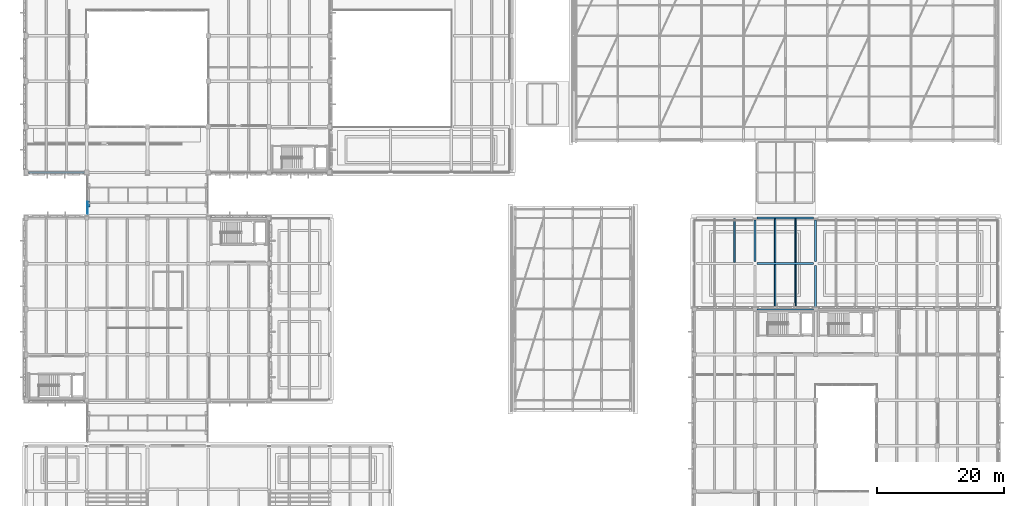
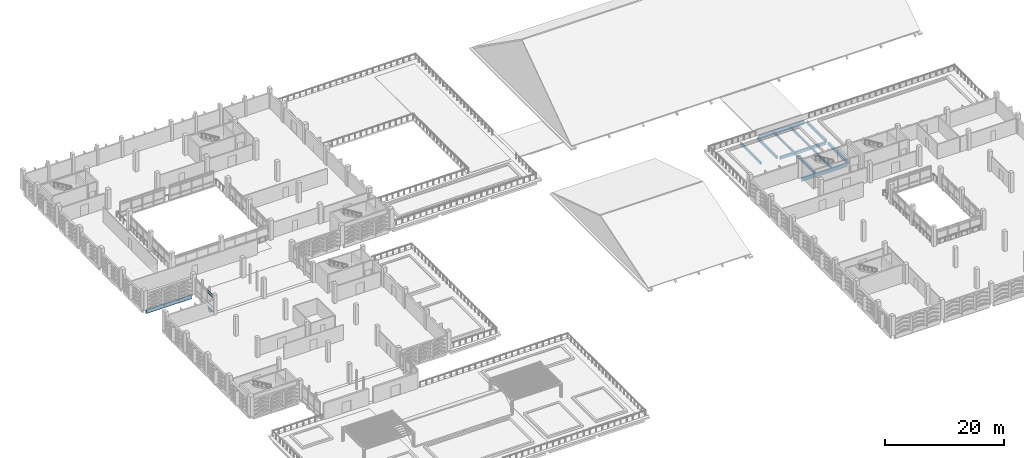
# One storey, part 34 of 134: 13 beams, 4 members, 1 element without a shape of its own.
"""IFC4 building model written with IfcOpenShell, lengths in metres."""

from ifc_helpers import new_model, si_unit, direction, frame, origin, origin_2d, place, context, subcontext, project, spatial, rectangle, hollow_rectangle, extrude, material, layer, layer_set, material_profile, profile_set, type_object, element, aggregate, save


model = new_model("IFC4")

# Units and contexts
model_context = context("Model", 3, precision=1e-05, world=origin(), true_north=direction((0.0, 1.0)))
body_context = subcontext(model_context, "Body", "Model", "MODEL_VIEW")
ifc_project = project(units=[si_unit("LENGTHUNIT", "METRE"), si_unit("AREAUNIT", "SQUARE_METRE"), si_unit("VOLUMEUNIT", "CUBIC_METRE"), si_unit("PLANEANGLEUNIT", "RADIAN"), si_unit("MASSUNIT", "GRAM", prefix="KILO")], contexts=[model_context])

# Site, building, storey
site_placement = place(None, origin())
site = spatial("IfcSite", under=ifc_project, at=site_placement, CompositionType="ELEMENT")
building_placement = place(site_placement, origin())
building = spatial("IfcBuilding", under=site, at=building_placement, Name="Asteropetra Specialist Clinic", CompositionType="ELEMENT")
storey_placement = place(building_placement, frame((0.0, 0.0, 8.5)))
storey = spatial("IfcBuildingStorey", under=building, at=storey_placement, Name="L02", CompositionType="ELEMENT", Elevation=8.5)

# Beams
ifc_material_1 = material(Name="Concrete C35/45", Category="concrete")
ifc_material_profile_1 = material_profile(ifc_material_1, rectangle(XDim=0.320068359375, YDim=0.52001953125, at=origin_2d()), Name="RCB 320x520")
ifc_profile_set_1 = profile_set([ifc_material_profile_1], Name="Concrete C35/45")
beam_type_1 = type_object("IfcBeamType", Name="BM-RC320x520", PredefinedType="BEAM", material=ifc_profile_set_1)
for number, where, z_axis, x_axis, name in (
    (1, (124.800048828125, 48.35009765625, -0.570068359375), (0.0, 1.0, 0.0), (-1.0, 0.0, 0.0), "Beam BBM11-1023"),
    (2, (115.199951171875, 55.550048828125, -0.570068359375), (0.0, 1.0, 0.0), (-1.0, 0.0, 0.0), "Beam BBM11-1038"),
    (3, (124.800048828125, 55.550048828125, -0.570068359375), (0.0, 1.0, 0.0), (-1.0, 0.0, 0.0), "Beam BBM11-1039"),
):
    element("IfcBeam", number, at=place(storey_placement, frame(where, z_axis=z_axis, x_axis=x_axis)), inside=storey, type_object=beam_type_1, Name=name, PredefinedType="BEAM", context=body_context, shape_type="SweptSolid", body=[
        extrude(rectangle(XDim=0.320068359375, YDim=0.52001953125, at=origin_2d()), origin(), (0.0, 0.0, 1.0), 6.5),
    ])
ifc_material_2 = material(Name="Concrete C35/45", Category="concrete")
ifc_material_profile_2 = material_profile(ifc_material_2, rectangle(XDim=0.35009765625, YDim=0.550048828125, at=origin_2d()), Name="RCB 350x550")
ifc_profile_set_2 = profile_set([ifc_material_profile_2], Name="Concrete C35/45")
beam_type_2 = type_object("IfcBeamType", Name="BM-RC350x550", PredefinedType="BEAM", material=ifc_profile_set_2)
beam_1_placement = place(storey_placement, frame((115.550048828125, 55.199951171875, -0.5849609375), z_axis=(1.0, 0.0, 0.0), x_axis=(0.0, 1.0, 0.0)))
element("IfcBeam", 4, at=beam_1_placement, inside=storey, type_object=beam_type_2, Name="Beam BBM10-1012", PredefinedType="BEAM", context=body_context, shape_type="SweptSolid", body=[
    extrude(rectangle(XDim=0.35009765625, YDim=0.550048828125, at=origin_2d()), origin(), (0.0, 0.0, 1.0), 8.89990234375),
])
beam_2_placement = place(storey_placement, frame((9.949951171875, 65.0, -0.56005859375), z_axis=(0.0, -1.0, 0.0), x_axis=(1.0, 0.0, 0.0)))
element("IfcBeam", 5, at=beam_2_placement, inside=storey, type_object=beam_type_2, Name="Bridge Bearing Seat Corbel CRB-13", PredefinedType="BEAM", context=body_context, shape_type="SweptSolid", body=[
    extrude(rectangle(XDim=0.35009765625, YDim=0.550048828125, at=origin_2d()), origin(), (0.0, 0.0, 1.0), 0.85009765625),
])

# Curtain wall, members
ifc_material_3 = material(Name="Aluminium and low-E glass", Category="aluminium")
ifc_layer = layer(ifc_material_3, 0.14990234375)
ifc_layer_set = layer_set([ifc_layer], Name="Aluminium and low-E glass")
curtain_wall_type = type_object("IfcCurtainWallType", Name="CW-SYS-08", PredefinedType="USERDEFINED", material=ifc_layer_set)
curtain_wall_placement = place(storey_placement, origin())
curtain_wall = element("IfcCurtainWall", 6, at=curtain_wall_placement, inside=storey, type_object=curtain_wall_type, Name="Curtain Wall CW-105", ObjectType="STICK GLAZED COLONNADE", PredefinedType="USERDEFINED")
ifc_material_4 = material(Name="Aluminium 6063-T6", Category="aluminium")
ifc_material_profile_3 = material_profile(ifc_material_4, hollow_rectangle(XDim=0.074951171875, YDim=0.14990234375, WallThickness=0.00390625, InnerFilletRadius=0.00390625, OuterFilletRadius=0.008056640625, at=origin_2d()), Name="TRN 150x75x4.0")
ifc_profile_set_3 = profile_set([ifc_material_profile_3], Name="Aluminium 6063-T6")
member_type = type_object("IfcMemberType", Name="CWT-150x75", PredefinedType="USERDEFINED", material=ifc_profile_set_3)
member_1_placement = place(storey_placement, frame((9.679931640625, 63.0849609375, 0.03759765625), z_axis=(0.0, 1.0, 0.0), x_axis=(-1.0, 0.0, 0.0)))
member_1 = element("IfcMember", 7, at=member_1_placement, type_object=member_type, Name="CW-105 transom 1.1", ObjectType="TRANSOM", PredefinedType="USERDEFINED", context=body_context, shape_type="SweptSolid", body=[
    extrude(hollow_rectangle(XDim=0.074951171875, YDim=0.14990234375, WallThickness=0.00390625, InnerFilletRadius=0.00390625, OuterFilletRadius=0.008056640625, at=origin_2d()), origin(), (0.0, 0.0, 1.0), 1.880859375),
])
member_2_placement = place(storey_placement, frame((9.679931640625, 63.0849609375, 0.89990234375), z_axis=(0.0, 1.0, 0.0), x_axis=(-1.0, 0.0, 0.0)))
member_2 = element("IfcMember", 8, at=member_2_placement, type_object=member_type, Name="CW-105 transom 1.2", ObjectType="TRANSOM", PredefinedType="USERDEFINED", context=body_context, shape_type="SweptSolid", body=[
    extrude(hollow_rectangle(XDim=0.074951171875, YDim=0.14990234375, WallThickness=0.00390625, InnerFilletRadius=0.00390625, OuterFilletRadius=0.008056640625, at=origin_2d()), origin(), (0.0, 0.0, 1.0), 1.880859375),
])
member_3_placement = place(storey_placement, frame((9.679931640625, 63.0849609375, 2.929931640625), z_axis=(0.0, 1.0, 0.0), x_axis=(-1.0, 0.0, 0.0)))
member_3 = element("IfcMember", 9, at=member_3_placement, type_object=member_type, Name="CW-105 transom 1.3", ObjectType="TRANSOM", PredefinedType="USERDEFINED", context=body_context, shape_type="SweptSolid", body=[
    extrude(hollow_rectangle(XDim=0.074951171875, YDim=0.14990234375, WallThickness=0.00390625, InnerFilletRadius=0.00390625, OuterFilletRadius=0.008056640625, at=origin_2d()), origin(), (0.0, 0.0, 1.0), 1.880859375),
])
member_4_placement = place(storey_placement, frame((9.679931640625, 63.0849609375, 3.392578125), z_axis=(0.0, 1.0, 0.0), x_axis=(-1.0, 0.0, 0.0)))
member_4 = element("IfcMember", 10, at=member_4_placement, type_object=member_type, Name="CW-105 transom 1.4", ObjectType="TRANSOM", PredefinedType="USERDEFINED", context=body_context, shape_type="SweptSolid", body=[
    extrude(hollow_rectangle(XDim=0.074951171875, YDim=0.14990234375, WallThickness=0.00390625, InnerFilletRadius=0.00390625, OuterFilletRadius=0.008056640625, at=origin_2d()), origin(), (0.0, 0.0, 1.0), 1.880859375),
])
aggregate(curtain_wall, [member_1, member_2, member_3, member_4])

# Beams
ifc_material_5 = material(Name="Concrete C35/45", Category="concrete")
ifc_material_profile_4 = material_profile(ifc_material_5, rectangle(XDim=0.239990234375, YDim=0.449951171875, at=origin_2d()), Name="RCJ 240x450")
ifc_profile_set_4 = profile_set([ifc_material_profile_4], Name="Concrete C35/45")
beam_type_3 = type_object("IfcBeamType", Name="JST-RC240x450", PredefinedType="JOIST", material=ifc_profile_set_4)
for number, where, z_axis, x_axis, name in (
    (11, (118.39990234375, 48.159912109375, -0.534912109375), (0.0, 1.0, 0.0), (-1.0, 0.0, 0.0), "Joist JJST03-1029"),
    (12, (121.60009765625, 48.159912109375, -0.534912109375), (0.0, 1.0, 0.0), (-1.0, 0.0, 0.0), "Joist JJST03-1030"),
    (13, (112.0, 55.375, -0.534912109375), (0.0, 1.0, 0.0), (-1.0, 0.0, 0.0), "Joist JJST03-1044"),
    (14, (118.39990234375, 55.375, -0.534912109375), (0.0, 1.0, 0.0), (-1.0, 0.0, 0.0), "Joist JJST03-1045"),
    (15, (121.60009765625, 55.375, -0.534912109375), (0.0, 1.0, 0.0), (-1.0, 0.0, 0.0), "Joist JJST03-1046"),
):
    element("IfcBeam", number, at=place(storey_placement, frame(where, z_axis=z_axis, x_axis=x_axis)), inside=storey, type_object=beam_type_3, Name=name, PredefinedType="JOIST", context=body_context, shape_type="SweptSolid", body=[
        extrude(rectangle(XDim=0.239990234375, YDim=0.449951171875, at=origin_2d()), origin(), (0.0, 0.0, 1.0), 6.864990234375),
    ])
ifc_material_6 = material(Name="Concrete C35/45", Category="concrete")
ifc_material_profile_5 = material_profile(ifc_material_6, rectangle(XDim=0.320068359375, YDim=0.699951171875, at=origin_2d()), Name="RCS 320x700")
ifc_profile_set_5 = profile_set([ifc_material_profile_5], Name="Concrete C35/45")
beam_type_4 = type_object("IfcBeamType", Name="SPN-RC320x700", PredefinedType="SPANDREL", material=ifc_profile_set_5)
for number, where, z_axis, x_axis, name in (
    (16, (115.550048828125, 48.0, -0.659912109375), (1.0, 0.0, 0.0), (0.0, 1.0, 0.0), "Beam BSPN02-1007"),
    (17, (115.550048828125, 62.39990234375, -0.659912109375), (1.0, 0.0, 0.0), (0.0, 1.0, 0.0), "Beam BSPN02-1017"),
):
    element("IfcBeam", number, at=place(storey_placement, frame(where, z_axis=z_axis, x_axis=x_axis)), inside=storey, type_object=beam_type_4, Name=name, PredefinedType="SPANDREL", context=body_context, shape_type="SweptSolid", body=[
        extrude(rectangle(XDim=0.320068359375, YDim=0.699951171875, at=origin_2d()), origin(), (0.0, 0.0, 1.0), 8.89990234375),
    ])
beam_3_placement = place(storey_placement, frame((0.375, 69.60009765625, -0.6298828125), z_axis=(1.0, 0.0, 0.0), x_axis=(0.0, 1.0, 0.0)))
element("IfcBeam", 18, at=beam_3_placement, inside=storey, type_object=beam_type_4, Name="Beam BSPN02-1241", PredefinedType="SPANDREL", context=body_context, shape_type="SweptSolid", body=[
    extrude(rectangle(XDim=0.320068359375, YDim=0.699951171875, at=origin_2d()), origin(), (0.0, 0.0, 1.0), 8.85009765625),
])

save(model, "model.ifc")
